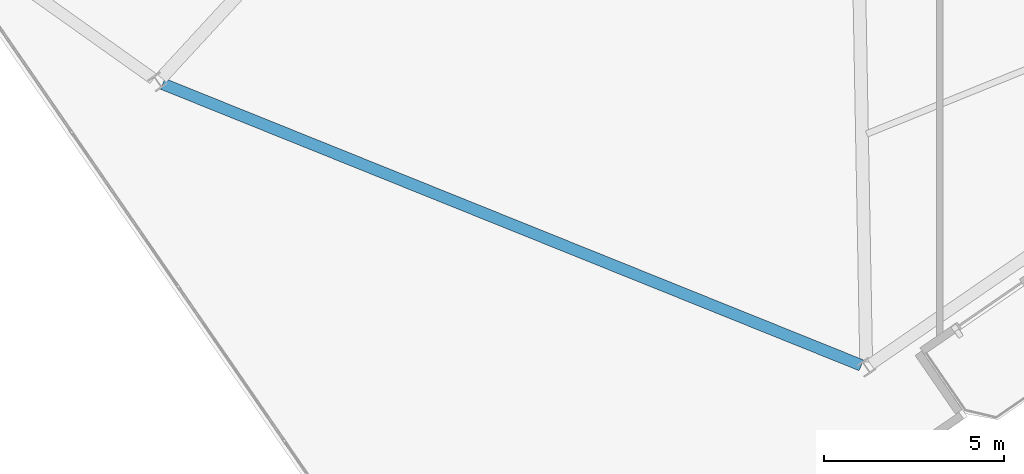
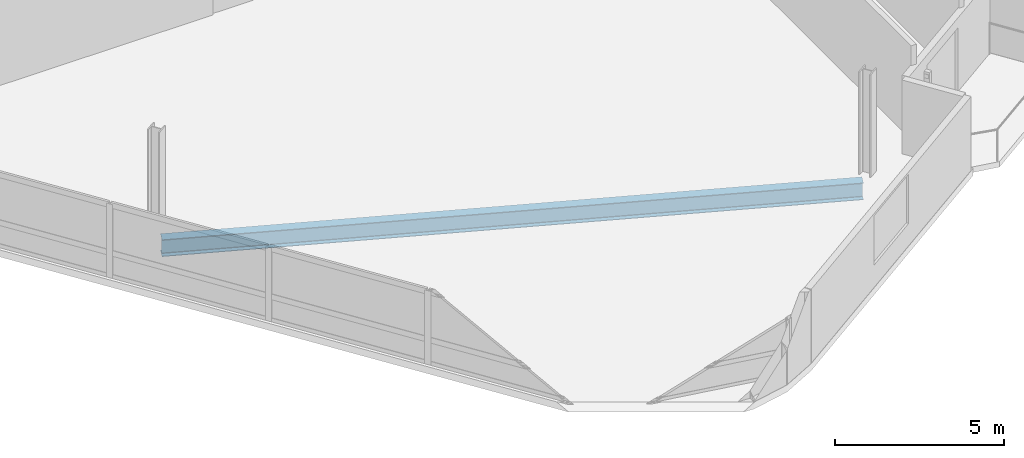
# One storey, part 5 of 23: 1 beam.
"""IFC4 building model written with IfcOpenShell, lengths in metres."""

from ifc_helpers import new_model, si_unit, direction, frame, origin, origin_2d, place, context, subcontext, project, spatial, i_section, extrude, material, material_profile, profile_set, type_object, element, save


model = new_model("IFC4")

# Units and contexts
model_context = context("Model", 3, precision=1e-05, world=origin(), true_north=direction((0.0, 1.0)))
body_context = subcontext(model_context, "Body", "Model", "MODEL_VIEW")
ifc_project = project(units=[si_unit("LENGTHUNIT", "METRE"), si_unit("AREAUNIT", "SQUARE_METRE"), si_unit("VOLUMEUNIT", "CUBIC_METRE"), si_unit("PLANEANGLEUNIT", "RADIAN"), si_unit("MASSUNIT", "GRAM", prefix="KILO")], contexts=[model_context])

# Site, building, storey
site_placement = place(None, origin())
site = spatial("IfcSite", under=ifc_project, at=site_placement, CompositionType="ELEMENT")
building_placement = place(site_placement, origin())
building = spatial("IfcBuilding", under=site, at=building_placement, Name="Varnelok Gate Tower", CompositionType="ELEMENT")
storey_placement = place(building_placement, frame((0.0, 0.0, 287.800048828125)))
storey = spatial("IfcBuildingStorey", under=building, at=storey_placement, Name="L74", CompositionType="ELEMENT", Elevation=287.800048828125)

# Beam
ifc_material = material(Name="Structural Steel ASTM A992 Grade 50", Category="steel")
ifc_material_profile = material_profile(ifc_material, i_section(OverallWidth=0.323974609375, OverallDepth=0.611083984375, WebThickness=0.0126953125, FlangeThickness=0.01904296875, FilletRadius=0.01806640625, at=origin_2d()), Name="W24X104")
ifc_profile_set = profile_set([ifc_material_profile], Name="Structural Steel ASTM A992 Grade 50")
beam_type = type_object("IfcBeamType", Name="BM-SPN-W24X104", PredefinedType="SPANDREL", material=ifc_profile_set)
beam_placement = place(storey_placement, frame((14.581787109375, 7.94775390625, -0.5556640625), z_axis=(0.927546574087, -0.373707576722, 0.0), x_axis=(0.373707576722, 0.927546574087, 0.0)))
element("IfcBeam", 1, at=beam_placement, inside=storey, type_object=beam_type, Name="L74 Perimeter Spandrel Beam 16", PredefinedType="SPANDREL", context=body_context, shape_type="SweptSolid", body=[
    extrude(i_section(OverallWidth=0.323974609375, OverallDepth=0.611083984375, WebThickness=0.0126953125, FlangeThickness=0.01904296875, FilletRadius=0.01806640625, at=origin_2d()), origin(), (0.0, 0.0, 1.0), 20.90087890625),
])

save(model, "model.ifc")
